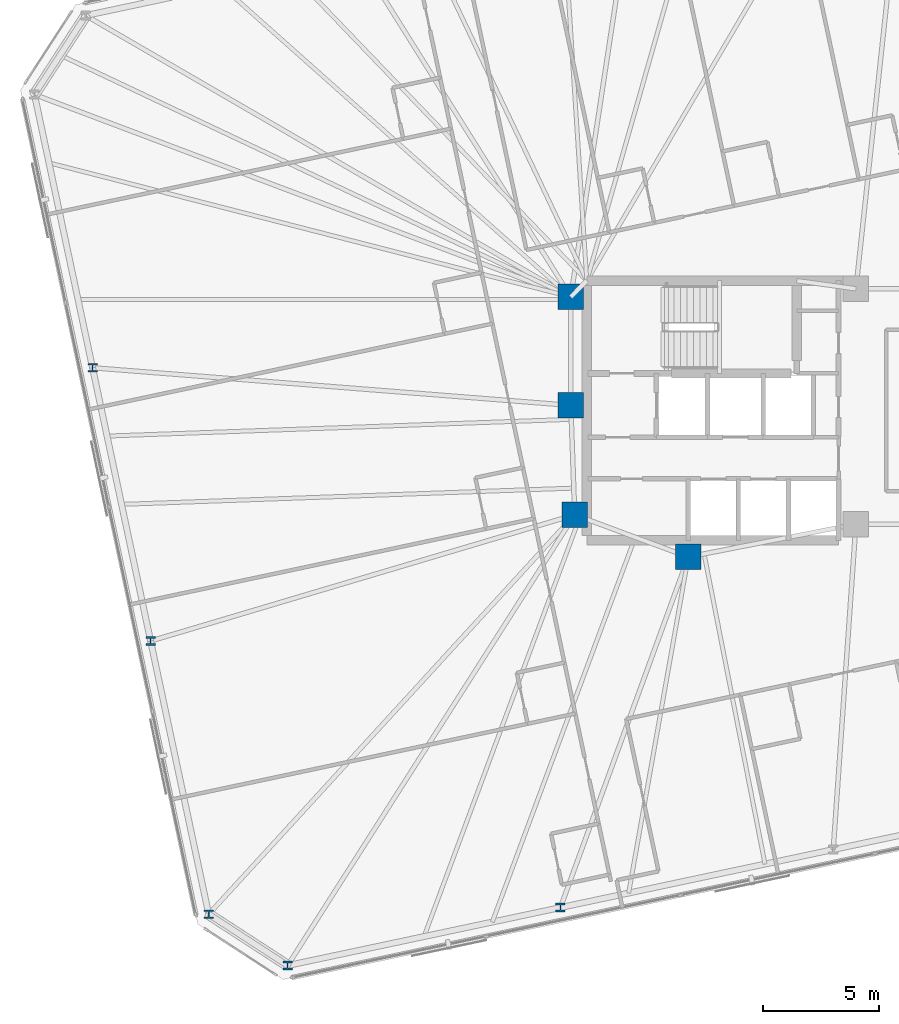
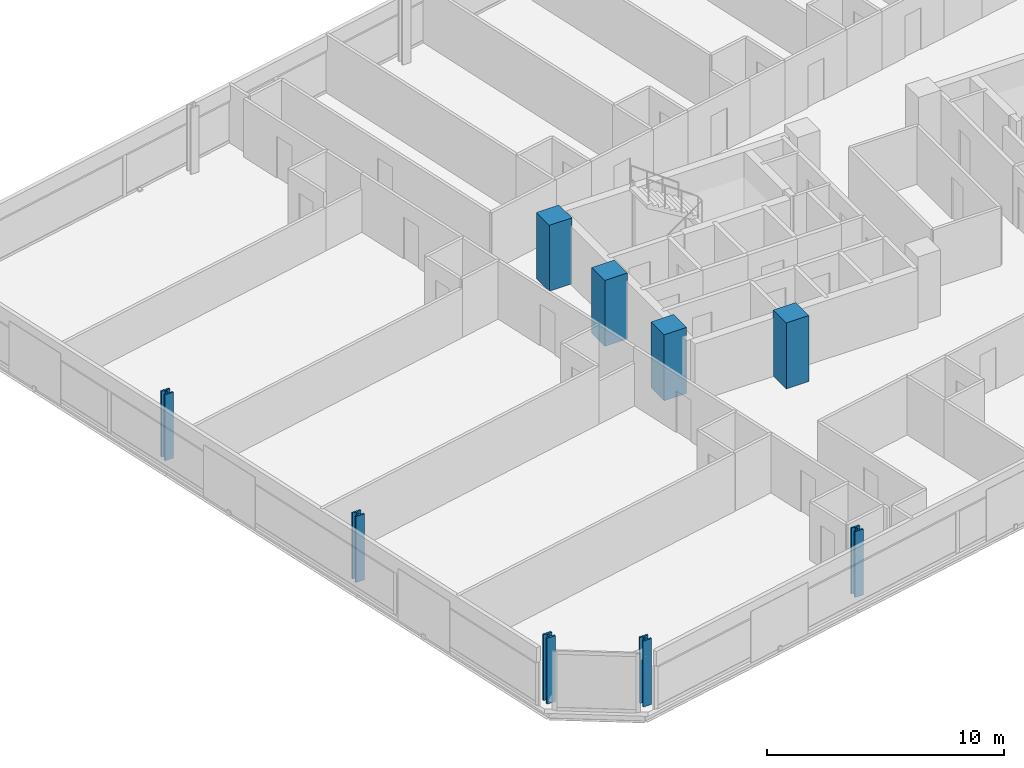
# One storey, part 1 of 20: 9 columns.
"""IFC4 building model written with IfcOpenShell, lengths in metres."""

from ifc_helpers import new_model, si_unit, direction, frame, origin, origin_2d, place, context, subcontext, project, spatial, rectangle, i_section, extrude, material, material_profile, profile_set, type_object, element, save


model = new_model("IFC4")

# Units and contexts
model_context = context("Model", 3, precision=1e-05, world=origin(), true_north=direction((0.0, 1.0)))
body_context = subcontext(model_context, "Body", "Model", "MODEL_VIEW")
ifc_project = project(units=[si_unit("LENGTHUNIT", "METRE"), si_unit("AREAUNIT", "SQUARE_METRE"), si_unit("VOLUMEUNIT", "CUBIC_METRE"), si_unit("PLANEANGLEUNIT", "RADIAN"), si_unit("MASSUNIT", "GRAM", prefix="KILO")], contexts=[model_context])

# Site, building, storey
site_placement = place(None, origin())
site = spatial("IfcSite", under=ifc_project, at=site_placement, CompositionType="ELEMENT")
building_placement = place(site_placement, origin())
building = spatial("IfcBuilding", under=site, at=building_placement, Name="Menara Jurai Vektor", CompositionType="ELEMENT")
storey_placement = place(building_placement, frame((0.0, 0.0, 199.0)))
storey = spatial("IfcBuildingStorey", under=building, at=storey_placement, Name="L52", CompositionType="ELEMENT", Elevation=199.0)

# Columns
ifc_material_1 = material(Name="Concrete C50/60", Category="concrete")
ifc_material_profile_1 = material_profile(ifc_material_1, rectangle(XDim=1.10009765625, YDim=1.10009765625, at=origin_2d()), Name="RC 1100x1100")
ifc_profile_set_1 = profile_set([ifc_material_profile_1], Name="Concrete C50/60")
column_type_1 = type_object("IfcColumnType", Name="STR-COL-RC1100", PredefinedType="COLUMN", material=ifc_profile_set_1)
for number, where, z_axis, x_axis, name in (
    (1, (-15.25, 4.89990234375, 0.0), (0.0, 0.0, 1.0), (1.0, 0.0, 0.0), "Core Spine Column CW-NW L52"),
    (2, (-15.25, 0.219970703125, 0.0), (0.0, 0.0, 1.0), (1.0, 0.0, 0.0), "Core Spine Column CW-WM L52"),
    (3, (-15.080078125, -4.5, 0.0), (0.0, 0.0, 1.0), (1.0, 0.0, 0.0), "Core Spine Column CW-SW L52"),
    (4, (-10.179931640625, -6.320068359375, 0.0), (0.0, 0.0, 1.0), (1.0, 0.0, 0.0), "Core Spine Column CW-SM L52"),
):
    element("IfcColumn", number, at=place(storey_placement, frame(where, z_axis=z_axis, x_axis=x_axis)), inside=storey, type_object=column_type_1, Name=name, PredefinedType="COLUMN", context=body_context, shape_type="SweptSolid", body=[
        extrude(rectangle(XDim=1.10009765625, YDim=1.10009765625, at=origin_2d()), origin(), (0.0, 0.0, 1.0), 3.39990234375),
    ])
ifc_material_2 = material(Name="Steel S460", Category="steel")
ifc_material_profile_2 = material_profile(ifc_material_2, i_section(OverallWidth=0.408935546875, OverallDepth=0.3740234375, WebThickness=0.048095703125, FlangeThickness=0.076904296875, FilletRadius=0.014892578125, at=origin_2d()), Name="HD 400x634")
ifc_profile_set_2 = profile_set([ifc_material_profile_2], Name="Steel S460")
column_type_2 = type_object("IfcColumnType", Name="STR-EXO-BLK3", PredefinedType="COLUMN", material=ifc_profile_set_2)
for number, where, z_axis, x_axis, name in (
    (5, (-27.46484375, -23.94580078125, 0.0), (0.0, 0.0, 1.0), (1.0, 0.0, 0.0), "Exoskeleton Column BLK3-S1 L52"),
    (6, (-15.696533203125, -21.4443359375, 0.0), (0.0, 0.0, 1.0), (1.0, 0.0, 0.0), "Exoskeleton Column BLK3-S2 L52"),
    (7, (-35.8828125, 1.843505859375, 0.0), (0.0, 0.0, 1.0), (1.0, 0.0, 0.0), "Exoskeleton Column BLK3-W2 L52"),
    (8, (-33.377197265625, -9.945068359375, 0.0), (0.0, 0.0, 1.0), (1.0, 0.0, 0.0), "Exoskeleton Column BLK3-W3 L52"),
    (9, (-30.871337890625, -21.7333984375, 0.0), (0.0, 0.0, 1.0), (1.0, 0.0, 0.0), "Exoskeleton Column BLK3-W4 L52"),
):
    element("IfcColumn", number, at=place(storey_placement, frame(where, z_axis=z_axis, x_axis=x_axis)), inside=storey, type_object=column_type_2, Name=name, PredefinedType="COLUMN", context=body_context, shape_type="SweptSolid", body=[
        extrude(i_section(OverallWidth=0.408935546875, OverallDepth=0.3740234375, WebThickness=0.048095703125, FlangeThickness=0.076904296875, FilletRadius=0.014892578125, at=origin_2d()), origin(), (0.0, 0.0, 1.0), 3.39990234375),
    ])

save(model, "model.ifc")
